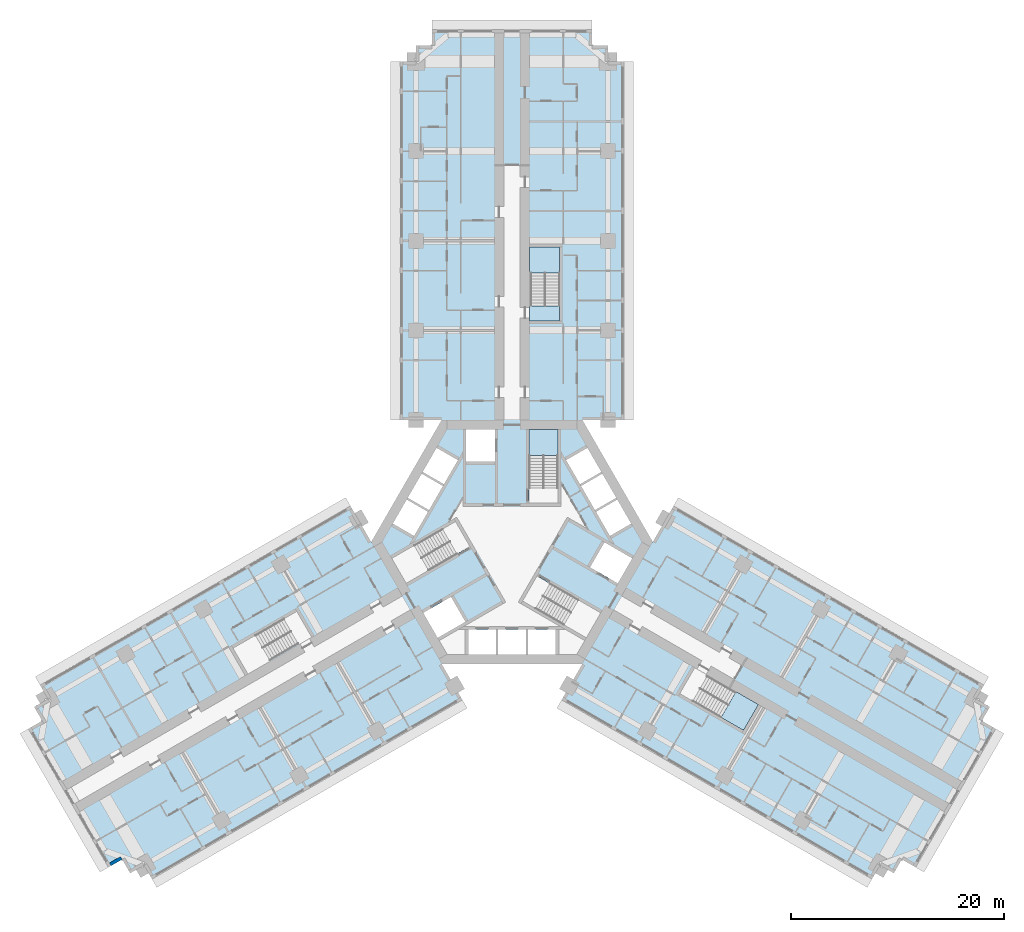
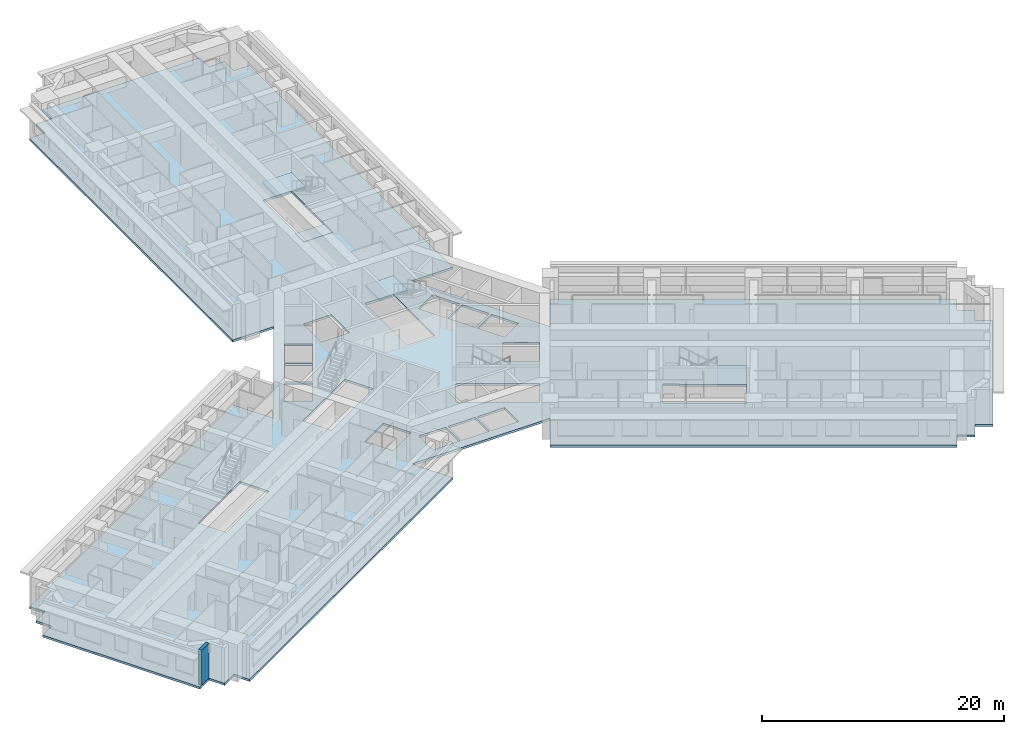
# One storey, part 2 of 15: 5 slabs, 1 wall, 3 elements without a shape of their own.
"""IFC4 building model written with IfcOpenShell, lengths in metres."""

from ifc_helpers import new_model, si_unit, direction, frame, frame_2d, origin, place, context, subcontext, project, spatial, polyline, rectangle, outline, extrude, material, layer, layer_set, type_object, element, aggregate, save


model = new_model("IFC4")

# Units and contexts
model_context = context("Model", 3, precision=1e-05, world=origin(), true_north=direction((0.0, 1.0)))
body_context = subcontext(model_context, "Body", "Model", "MODEL_VIEW")
ifc_project = project(units=[si_unit("LENGTHUNIT", "METRE"), si_unit("AREAUNIT", "SQUARE_METRE"), si_unit("VOLUMEUNIT", "CUBIC_METRE"), si_unit("PLANEANGLEUNIT", "RADIAN"), si_unit("MASSUNIT", "GRAM", prefix="KILO")], contexts=[model_context])

# Site, building, storey
site_placement = place(None, origin())
site = spatial("IfcSite", under=ifc_project, at=site_placement, CompositionType="ELEMENT")
building_placement = place(site_placement, origin())
building = spatial("IfcBuilding", under=site, at=building_placement, Name="Impinga Residences", CompositionType="ELEMENT")
storey_placement = place(building_placement, frame((0.0, 0.0, 86.0)))
storey = spatial("IfcBuildingStorey", under=building, at=storey_placement, Name="L21", CompositionType="ELEMENT", Elevation=86.0)

# Slab
ifc_material_1 = material(Name="Concrete C60/75", Category="concrete")
ifc_layer_1 = layer(ifc_material_1, 0.219970703125)
ifc_layer_set_1 = layer_set([ifc_layer_1], Name="Concrete C60/75")
slab_type_1 = type_object("IfcSlabType", Name="FS1 tower floor slab 220", PredefinedType="FLOOR", material=ifc_layer_set_1)
slab_1_placement = place(storey_placement, frame((0.0, 0.0, -0.219970703125)))
element("IfcSlab", 1, at=slab_1_placement, inside=storey, type_object=slab_type_1, Name="Floor slab FS1 L21", PredefinedType="FLOOR", context=body_context, shape_type="SweptSolid", body=[
    extrude(outline(polyline([(-34.49853515625, -30.31005859375), (-35.797607421875, -31.06005859375), (-36.547607421875, -29.760986328125), (-37.846435546875, -30.510986328125), (-45.346435546875, -17.5205078125), (-44.047607421875, -16.7705078125), (-44.797607421875, -15.471435546875), (-43.49853515625, -14.721435546875), (-44.24853515625, -13.422607421875), (-15.14990234375, 3.37744140625), (-13.199951171875, 0.0), (-6.60009765625, 11.431640625), (-10.5, 11.431640625), (-10.5, 45.031494140625), (-9.0, 45.031494140625), (-9.0, 46.531494140625), (-7.5, 46.531494140625), (-7.5, 48.031494140625), (7.5, 48.031494140625), (7.5, 46.531494140625), (9.0, 46.531494140625), (9.0, 45.031494140625), (10.5, 45.031494140625), (10.5, 11.431640625), (6.60009765625, 11.431640625), (13.199951171875, 0.0), (15.14990234375, 3.37744140625), (44.24853515625, -13.422607421875), (43.49853515625, -14.721435546875), (44.797607421875, -15.471435546875), (44.047607421875, -16.7705078125), (45.346435546875, -17.5205078125), (37.846435546875, -30.510986328125), (36.547607421875, -29.760986328125), (35.797607421875, -31.06005859375), (34.49853515625, -30.31005859375), (33.74853515625, -31.609130859375), (4.64990234375, -14.80908203125), (9.900146484375, -5.7158203125), (6.60009765625, -11.431640625), (-6.60009765625, -11.431640625), (-9.900146484375, -5.7158203125), (-4.64990234375, -14.80908203125), (-33.74853515625, -31.609130859375), (-34.49853515625, -30.31005859375)]), holes=[polyline([(-21.391357421875, -7.2119140625), (-26.154541015625, -9.9619140625), (-24.8046875, -12.30029296875), (-20.04150390625, -9.55029296875), (-19.991455078125, -9.63671875), (-18.779052734375, -8.936767578125), (-18.8291015625, -8.850341796875), (-18.8291015625, -8.850341796875), (-20.178955078125, -6.511962890625), (-21.391357421875, -7.2119140625), (-21.391357421875, -7.2119140625)]), polyline([(-1.5, -8.2314453125), (-4.10009765625, -8.2314453125), (-4.10009765625, -10.531494140625), (-1.5, -10.531494140625), (-1.5, -8.2314453125)]), polyline([(1.300048828125, -8.2314453125), (-1.300048828125, -8.2314453125), (-1.300048828125, -10.531494140625), (1.300048828125, -10.531494140625), (1.300048828125, -8.2314453125)]), polyline([(1.5, -8.2314453125), (1.5, -10.531494140625), (4.10009765625, -10.531494140625), (4.10009765625, -8.2314453125), (1.5, -8.2314453125)]), polyline([(-5.72119140625, -5.150634765625), (-8.320556640625, -6.6513671875), (-6.970458984375, -8.98974609375), (-4.37109375, -7.489013671875), (-5.72119140625, -5.150634765625)]), polyline([(-3.943603515625, -0.429443359375), (-5.293701171875, 1.908935546875), (-11.2705078125, -1.541748046875), (-9.920654296875, -3.880126953125), (-3.943603515625, -0.429443359375)]), polyline([(-9.1787109375, 0.56494140625), (-7.878662109375, 2.816650390625), (-9.87060546875, 3.966796875), (-11.170654296875, 1.715087890625), (-9.1787109375, 0.56494140625)]), polyline([(-6.478759765625, 5.24169921875), (-8.470458984375, 6.3916015625), (-9.7705078125, 4.139892578125), (-7.77880859375, 2.989990234375), (-6.478759765625, 5.24169921875)]), polyline([(-6.378662109375, 5.414794921875), (-5.07861328125, 7.66650390625), (-7.070556640625, 8.81640625), (-8.37060546875, 6.564697265625), (-6.378662109375, 5.414794921875)]), polyline([(-4.300048828125, 7.530029296875), (-1.60009765625, 7.530029296875), (-1.60009765625, 10.531494140625), (-4.300048828125, 10.531494140625), (-4.300048828125, 7.530029296875)]), polyline([(15.72900390625, -14.219482421875), (21.70458984375, -17.669677734375), (23.0546875, -15.331298828125), (18.29150390625, -12.581298828125), (18.341552734375, -12.49462890625), (17.129150390625, -11.794677734375), (15.72900390625, -14.219482421875)]), polyline([(0.99365234375, -5.538818359375), (6.970458984375, -8.98974609375), (8.320556640625, -6.6513671875), (2.34375, -3.20068359375), (0.99365234375, -5.538818359375)]), polyline([(8.671142578125, -0.041015625), (7.3212890625, -2.37939453125), (9.920654296875, -3.880126953125), (11.2705078125, -1.541748046875), (8.671142578125, -0.041015625)]), polyline([(7.878662109375, 2.816650390625), (9.1787109375, 0.56494140625), (11.170654296875, 1.715087890625), (9.87060546875, 3.966796875), (7.878662109375, 2.816650390625)]), polyline([(7.77880859375, 2.989990234375), (9.7705078125, 4.139892578125), (8.470458984375, 6.3916015625), (6.478759765625, 5.24169921875), (7.77880859375, 2.989990234375)]), polyline([(1.60009765625, 3.6298828125), (4.300048828125, 3.6298828125), (4.300048828125, 10.531494140625), (1.60009765625, 10.531494140625), (1.60009765625, 3.6298828125)]), polyline([(5.07861328125, 7.66650390625), (6.378662109375, 5.414794921875), (8.37060546875, 6.564697265625), (7.070556640625, 8.81640625), (5.07861328125, 7.66650390625)]), polyline([(1.75, 22.131591796875), (1.64990234375, 22.131591796875), (1.64990234375, 20.7314453125), (1.75, 20.7314453125), (4.449951171875, 20.7314453125), (4.449951171875, 22.131591796875), (4.449951171875, 27.631591796875), (1.75, 27.631591796875), (1.75, 22.131591796875)])]), origin(), (0.0, 0.0, 1.0), 0.219970703125),
])

# Stair, slab
ifc_material_2 = material(Name="Concrete C40/50", Category="concrete")
stair_type_1 = type_object("IfcStairType", Name="STR core stair 3750 storey, 24 risers", PredefinedType="HALF_TURN_STAIR", material=ifc_material_2)
stair_1_placement = place(storey_placement, origin())
stair_1 = element("IfcStair", 2, at=stair_1_placement, inside=storey, type_object=stair_type_1, Name="Stair ST1 L21", PredefinedType="HALF_TURN_STAIR")
ifc_layer_2 = layer(ifc_material_2, 0.199951171875)
ifc_layer_set_2 = layer_set([ifc_layer_2], Name="Concrete C40/50")
slab_type_2 = type_object("IfcSlabType", Name="LS1 stair landing 200", PredefinedType="LANDING", material=ifc_layer_set_2)
slab_2_placement = place(storey_placement, frame((0.0, 0.0, 1.675048828125)))
slab_2 = element("IfcSlab", 3, at=slab_2_placement, type_object=slab_type_2, Name="ST1 landing 2", PredefinedType="LANDING", context=body_context, shape_type="SweptSolid", body=[
    extrude(outline(polyline([(1.60009765625, 8.10009765625), (4.300048828125, 8.10009765625), (4.300048828125, 10.531494140625), (1.60009765625, 10.531494140625), (1.60009765625, 8.10009765625)])), origin(), (0.0, 0.0, 1.0), 0.199951171875),
])
aggregate(stair_1, [slab_2])

# Stair, slabs
stair_type_2 = type_object("IfcStairType", Name="STR wing stair 3750 storey, 24 risers", PredefinedType="HALF_TURN_STAIR", material=ifc_material_2)
stair_2_placement = place(storey_placement, origin())
stair_2 = element("IfcStair", 4, at=stair_2_placement, inside=storey, type_object=stair_type_2, Name="Stair WS1 L21", PredefinedType="HALF_TURN_STAIR")
slab_3_placement = place(storey_placement, frame((0.0, 0.0, -0.199951171875)))
slab_3 = element("IfcSlab", 5, at=slab_3_placement, type_object=slab_type_2, Name="WS1 landing 1", PredefinedType="LANDING", context=body_context, shape_type="SweptSolid", body=[
    extrude(outline(polyline([(1.64990234375, 20.7314453125), (4.449951171875, 20.7314453125), (4.449951171875, 22.1416015625), (1.64990234375, 22.1416015625), (1.64990234375, 20.7314453125)])), origin(), (0.0, 0.0, 1.0), 0.199951171875),
])
slab_4_placement = place(storey_placement, frame((0.0, 0.0, 1.675048828125)))
slab_4 = element("IfcSlab", 6, at=slab_4_placement, type_object=slab_type_2, Name="WS1 landing 2", PredefinedType="LANDING", context=body_context, shape_type="SweptSolid", body=[
    extrude(outline(polyline([(1.64990234375, 25.201416015625), (4.449951171875, 25.201416015625), (4.449951171875, 27.631591796875), (1.64990234375, 27.631591796875), (1.64990234375, 25.201416015625)])), origin(), (0.0, 0.0, 1.0), 0.199951171875),
])
aggregate(stair_2, [slab_3, slab_4])

# Stair, slab
stair_3_placement = place(storey_placement, origin())
stair_3 = element("IfcStair", 7, at=stair_3_placement, inside=storey, type_object=stair_type_2, Name="Stair WS3 L21", PredefinedType="HALF_TURN_STAIR")
slab_5_placement = place(storey_placement, frame((0.0, 0.0, 1.675048828125)))
slab_5 = element("IfcSlab", 8, at=slab_5_placement, type_object=slab_type_2, Name="WS3 landing 2", PredefinedType="LANDING", context=body_context, shape_type="SweptSolid", body=[
    extrude(outline(polyline([(21.000244140625, -14.02978515625), (19.60009765625, -16.45458984375), (21.70458984375, -17.669677734375), (23.1044921875, -15.24462890625), (21.000244140625, -14.02978515625)])), origin(), (0.0, 0.0, 1.0), 0.199951171875),
])
aggregate(stair_3, [slab_5])

# Wall
ifc_material_3 = material(Name="Terracotta rainscreen on blockwork", Category="masonry")
ifc_layer_3 = layer(ifc_material_3, 0.300048828125)
ifc_layer_set_3 = layer_set([ifc_layer_3], Name="EW1 external wall, terracotta rainscreen on blockwork 300")
wall_type = type_object("IfcWallType", Name="EW1 external wall, terracotta rainscreen on blockwork 300", PredefinedType="SOLIDWALL", material=ifc_layer_set_3)
wall_placement = place(storey_placement, frame((-36.626708984375, -29.633544921875, 0.0), z_axis=(0.0, 0.0, 1.0), x_axis=(-0.866059708757, -0.499940577336, 0.0)))
element("IfcWall", 9, at=wall_placement, inside=storey, type_object=wall_type, Name="External wall EW1 L21", PredefinedType="SOLIDWALL", context=body_context, shape_type="SweptSolid", body=[
    extrude(rectangle(XDim=1.195068359375, YDim=0.300048828125, at=frame_2d((0.59765625, 0.0))), origin(), (0.0, 0.0, 1.0), 3.530029296875),
])

save(model, "model.ifc")
